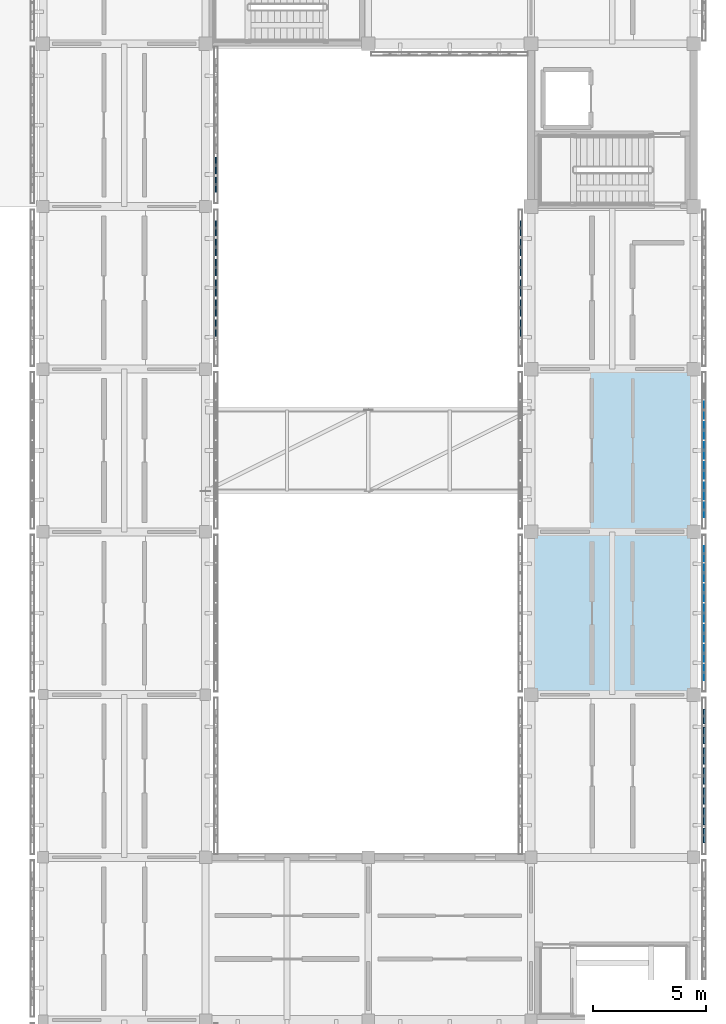
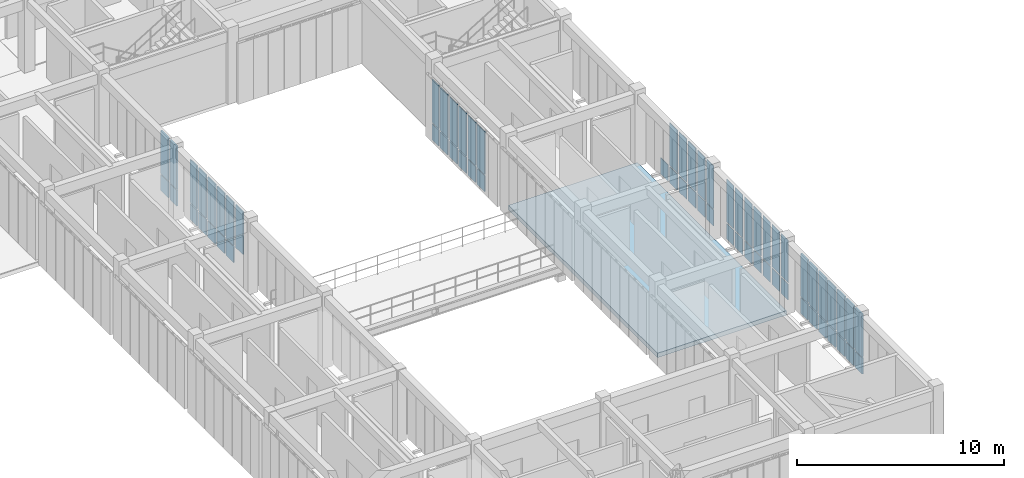
# One storey, part 59 of 91: 66 plates, 1 slab, 6 elements without a shape of their own.
"""IFC4 building model written with IfcOpenShell, lengths in metres."""

import ifcopenshell
import ifcopenshell.guid

model = None  # the IFC model being written
_history = None  # IfcOwnerHistory: only IFC2X3 demands one
_inside = {}  # id of a spatial element -> (the spatial element, [elements in it])
_under = {}  # id of a project, library or spatial element -> (it, [spatial elements below it])
_declared = {}  # id of a project -> (the project, [libraries it declares])
_typed = {}  # id of a type object -> (the type object, [elements of that type])
_made_of = {}  # id of a material, layer set ... -> (it, [elements and type objects made of it])


def new_model(schema):
    """Start an empty IFC model of exactly this schema.

    Asked for "IFC4X3", IfcOpenShell would pick the latest addendum, in which some entities
    have other attributes; the version numbers below select the first issue.
    IFC2X3 requires an IfcOwnerHistory on every rooted entity: one is made here for all.
    """
    global model, _history
    if schema == "IFC4X3":
        model = ifcopenshell.file(schema_version=(4, 3, 0, 0))
    else:
        model = ifcopenshell.file(schema=schema)
    _inside.clear()
    _under.clear()
    _declared.clear()
    _typed.clear()
    _made_of.clear()
    _history = None
    if model.schema == "IFC2X3":
        org = make("IfcOrganization", Name="unknown")
        user = make(
            "IfcPersonAndOrganization",
            ThePerson=make("IfcPerson", FamilyName="unknown"),
            TheOrganization=org,
        )
        app = make(
            "IfcApplication",
            ApplicationDeveloper=org,
            Version="unknown",
            ApplicationFullName="unknown",
            ApplicationIdentifier="unknown",
        )
        _history = make(
            "IfcOwnerHistory",
            OwningUser=user,
            OwningApplication=app,
            ChangeAction="ADDED",
            CreationDate=0,
        )
    return model


def make(cls, **values):
    """One entity of the class cls with the attributes given. An attribute that is None is left unset."""
    return model.create_entity(
        cls, **{name: value for name, value in values.items() if value is not None}
    )


def rooted(cls, **values):
    """An entity with a GlobalId (a new one), such as an element, a storey or a relation."""
    return make(cls, GlobalId=ifcopenshell.guid.new(), OwnerHistory=_history, **values)


def si_unit(unit_type, name, prefix=None):
    """IfcSIUnit, for example si_unit("LENGTHUNIT", "METRE", prefix="MILLI")."""
    return make("IfcSIUnit", UnitType=unit_type, Prefix=prefix, Name=name)


def assignment(units):
    """IfcUnitAssignment: the units of a project."""
    return None if units is None else make("IfcUnitAssignment", Units=units)


def point(xyz):
    """IfcCartesianPoint."""
    return None if xyz is None else make("IfcCartesianPoint", Coordinates=xyz)


def direction(xyz):
    """IfcDirection."""
    return None if xyz is None else make("IfcDirection", DirectionRatios=xyz)


def frame(location, z_axis=None, x_axis=None):
    """IfcAxis2Placement3D, a coordinate frame: its origin and axes. An axis left out is left unset."""
    return make(
        "IfcAxis2Placement3D",
        Location=point(location),
        Axis=direction(z_axis),
        RefDirection=direction(x_axis),
    )


def frame_2d(location, x_axis=None):
    """IfcAxis2Placement2D, a coordinate frame in the plane: its origin and x axis."""
    return make(
        "IfcAxis2Placement2D", Location=point(location), RefDirection=direction(x_axis)
    )


def origin():
    """The frame at (0, 0, 0) with its axes left unset."""
    return frame((0.0, 0.0, 0.0))


def origin_2d():
    """The frame at (0, 0) in the plane with its x axis left unset."""
    return frame_2d((0.0, 0.0))


def place(relative_to, where):
    """IfcLocalPlacement: puts the frame where relative to a parent placement (None: the world)."""
    return make(
        "IfcLocalPlacement", PlacementRelTo=relative_to, RelativePlacement=where
    )


def context(
    kind, dimensions, precision=None, world=None, true_north=None, identifier=None
):
    """IfcGeometricRepresentationContext, for example the 3D "Model" context."""
    return make(
        "IfcGeometricRepresentationContext",
        ContextIdentifier=identifier,
        ContextType=kind,
        CoordinateSpaceDimension=dimensions,
        Precision=precision,
        WorldCoordinateSystem=world,
        TrueNorth=true_north,
    )


def subcontext(parent, identifier, kind, view, scale=None):
    """IfcGeometricRepresentationSubContext, for example "Body" below "Model"."""
    return make(
        "IfcGeometricRepresentationSubContext",
        ContextIdentifier=identifier,
        ContextType=kind,
        ParentContext=parent,
        TargetScale=scale,
        TargetView=view,
    )


def project(units=None, contexts=None):
    """IfcProject with its units and contexts."""
    return rooted(
        "IfcProject",
        Name="project",
        RepresentationContexts=contexts,
        UnitsInContext=assignment(units),
    )


def spatial(cls, under=None, at=None, **own):
    """A site, building, storey or space (cls), placed at a placement, below another one or the project."""
    s = rooted(cls, ObjectPlacement=at, **own)
    if under is not None:
        _under.setdefault(under.id(), (under, []))[1].append(s)
    return s


def polyline(points):
    """IfcPolyline through the points."""
    return make("IfcPolyline", Points=[point(p) for p in points])


def profile(cls, at=None, kind="AREA", **sizes):
    """A parametric profile (cls). Its sizes go by their IFC names, for example OverallWidth=200.0."""
    return make(cls, ProfileType=kind, Position=at, **sizes)


def rectangle(**sizes):
    """IfcRectangleProfileDef."""
    return profile("IfcRectangleProfileDef", **sizes)


def outline(outer, holes=None, kind="AREA"):
    """IfcArbitraryClosedProfileDef: a profile drawn as a closed curve; with holes, ...WithVoids."""
    if holes is None:
        return make("IfcArbitraryClosedProfileDef", ProfileType=kind, OuterCurve=outer)
    return make(
        "IfcArbitraryProfileDefWithVoids",
        ProfileType=kind,
        OuterCurve=outer,
        InnerCurves=holes,
    )


def extrude(swept, where, along, depth):
    """IfcExtrudedAreaSolid: the profile swept, set in the frame where, extruded along a direction by depth."""
    return make(
        "IfcExtrudedAreaSolid",
        SweptArea=swept,
        Position=where,
        ExtrudedDirection=direction(along),
        Depth=depth,
    )


def shape(context_of_items, identifier, shape_type, items):
    """IfcShapeRepresentation: the items that make up one representation, for example the "Body"."""
    return make(
        "IfcShapeRepresentation",
        ContextOfItems=context_of_items,
        RepresentationIdentifier=identifier,
        RepresentationType=shape_type,
        Items=items,
    )


def material(Name=None, Category=None):
    """IfcMaterial."""
    return make("IfcMaterial", Name=Name, Category=Category)


def layer(
    of_material, thickness, ventilated=None, Name=None, Category=None, Priority=None
):
    """IfcMaterialLayer: one layer of a wall or slab, of a material (None: an air gap)."""
    return make(
        "IfcMaterialLayer",
        Material=of_material,
        LayerThickness=thickness,
        IsVentilated=ventilated,
        Name=Name,
        Category=Category,
        Priority=Priority,
    )


def layer_set(layers, Name=None):
    """IfcMaterialLayerSet."""
    return make("IfcMaterialLayerSet", MaterialLayers=layers, LayerSetName=Name)


def made_of(thing, what):
    """Note that an element or type object is made of a material, layer set ...; save() writes the relation."""
    if what is not None:
        _made_of.setdefault(what.id(), (what, []))[1].append(thing)
    return thing


def type_object(cls, material=None, **own):
    """A type object (cls), such as IfcWallType, which elements share."""
    return made_of(rooted(cls, **own), material)


def element(
    cls,
    number,
    at=None,
    inside=None,
    cuts=None,
    type_object=None,
    material=None,
    context=None,
    identifier="Body",
    shape_type=None,
    held_by="IfcProductDefinitionShape",
    body=None,
    shapes=None,
    **own,
):
    """One element of the class cls, such as IfcWall. Its Tag is "e" and its number.

    at: its placement. inside: the storey or other place that contains it. cuts: it is an
    opening in that element (IfcRelVoidsElement). A single representation is given by context,
    identifier, shape_type and body (its items); several are given by shapes. held_by: the class
    of the entity that holds the representations. save() writes the other relations.
    """
    e = rooted(cls, Tag="e%d" % number, ObjectPlacement=at, **own)
    if body is not None:
        shapes = [shape(context, identifier, shape_type, body)]
    if shapes is not None:
        e.Representation = make(held_by, Representations=shapes)
    if inside is not None:
        _inside.setdefault(inside.id(), (inside, []))[1].append(e)
    if cuts is not None:
        rooted(
            "IfcRelVoidsElement", RelatingBuildingElement=cuts, RelatedOpeningElement=e
        )
    if type_object is not None:
        _typed.setdefault(type_object.id(), (type_object, []))[1].append(e)
    return made_of(e, material)


def aggregate(whole, parts):
    """IfcRelAggregates: a whole, such as a stair, and the parts it consists of."""
    return rooted("IfcRelAggregates", RelatingObject=whole, RelatedObjects=parts)


def save(model, path):
    """Write the relations noted so far, then the file.

    IfcRelAggregates (storeys below a building ...), IfcRelContainedInSpatialStructure (elements
    in a storey), IfcRelDefinesByType, IfcRelAssociatesMaterial and IfcRelDeclares: one each for
    every whole, place, type object, material and project.
    """
    for whole, parts in _under.values():
        aggregate(whole, parts)
    for where, things in _inside.values():
        rooted(
            "IfcRelContainedInSpatialStructure",
            RelatedElements=things,
            RelatingStructure=where,
        )
    for kind, things in _typed.values():
        rooted("IfcRelDefinesByType", RelatedObjects=things, RelatingType=kind)
    for what, things in _made_of.values():
        rooted("IfcRelAssociatesMaterial", RelatedObjects=things, RelatingMaterial=what)
    for by, libraries in _declared.values():
        rooted("IfcRelDeclares", RelatingContext=by, RelatedDefinitions=libraries)
    model.write(path)


model = new_model("IFC4")

# Units and contexts
model_context = context("Model", 3, precision=1e-05, world=origin(), true_north=direction((0.0, 1.0)))
body_context = subcontext(model_context, "Body", "Model", "MODEL_VIEW")
ifc_project = project(units=[si_unit("LENGTHUNIT", "METRE"), si_unit("AREAUNIT", "SQUARE_METRE"), si_unit("VOLUMEUNIT", "CUBIC_METRE"), si_unit("PLANEANGLEUNIT", "RADIAN"), si_unit("MASSUNIT", "GRAM", prefix="KILO")], contexts=[model_context])

# Site, building, storey
site_placement = place(None, origin())
site = spatial("IfcSite", under=ifc_project, at=site_placement, CompositionType="ELEMENT")
building_placement = place(site_placement, origin())
building = spatial("IfcBuilding", under=site, at=building_placement, Name="Aldebral Square Health Centre", CompositionType="ELEMENT")
storey_placement = place(building_placement, frame((0.0, 0.0, 9.0)))
storey = spatial("IfcBuildingStorey", under=building, at=storey_placement, Name="L02", CompositionType="ELEMENT", Elevation=9.0)

# Curtain wall, plates
ifc_material_1 = material(Name="Aluminium and low-E solar glass", Category="aluminium")
curtain_wall_type = type_object("IfcCurtainWallType", Name="CW-FIN-SYS", PredefinedType="USERDEFINED", material=ifc_material_1)
curtain_wall_1_placement = place(storey_placement, origin())
curtain_wall_1 = element("IfcCurtainWall", 1, at=curtain_wall_1_placement, inside=storey, type_object=curtain_wall_type, Name="L02 V5 finned curtain wall L02-V5-22-10-E", ObjectType="SOLAR_CURTAIN_WALL", PredefinedType="USERDEFINED")
ifc_material_2 = material(Name="Solar-control low-E double glass", Category="glass")
ifc_layer_1 = layer(ifc_material_2, 0.02001953125, Name="Solar-control low-E double glass", Category="glass")
ifc_layer_set_1 = layer_set([ifc_layer_1], Name="Solar-control low-E double glass")
plate_type_1 = type_object("IfcPlateType", Name="CWP-GLZ-1", PredefinedType="CURTAIN_PANEL", material=ifc_layer_set_1)
plate_1_placement = place(storey_placement, frame((166.06005859375, 72.9658203125, 0.074951171875), z_axis=(0.0, 0.0, 1.0), x_axis=(0.0, 1.0, 0.0)))
plate_1 = element("IfcPlate", 2, at=plate_1_placement, type_object=plate_type_1, Name="CW1 panel 1.1", PredefinedType="CURTAIN_PANEL", context=body_context, shape_type="SweptSolid", body=[
    extrude(rectangle(XDim=0.6513671875, YDim=0.02001953125, at=origin_2d()), origin(), (0.0, 0.0, 1.0), 0.9375),
])
plate_2_placement = place(storey_placement, frame((166.06005859375, 72.9658203125, 1.08740234375), z_axis=(0.0, 0.0, 1.0), x_axis=(0.0, 1.0, 0.0)))
plate_2 = element("IfcPlate", 3, at=plate_2_placement, type_object=plate_type_1, Name="CW1 panel 1.2", PredefinedType="CURTAIN_PANEL", context=body_context, shape_type="SweptSolid", body=[
    extrude(rectangle(XDim=0.6513671875, YDim=0.02001953125, at=origin_2d()), origin(), (0.0, 0.0, 1.0), 2.527587890625),
])
plate_3_placement = place(storey_placement, frame((166.06005859375, 73.817138671875, 0.074951171875), z_axis=(0.0, 0.0, 1.0), x_axis=(0.0, 1.0, 0.0)))
plate_3 = element("IfcPlate", 4, at=plate_3_placement, type_object=plate_type_1, Name="CW1 panel 2.1", PredefinedType="CURTAIN_PANEL", context=body_context, shape_type="SweptSolid", body=[
    extrude(rectangle(XDim=0.7314453125, YDim=0.02001953125, at=origin_2d()), origin(), (0.0, 0.0, 1.0), 0.9375),
])
plate_4_placement = place(storey_placement, frame((166.06005859375, 73.817138671875, 1.08740234375), z_axis=(0.0, 0.0, 1.0), x_axis=(0.0, 1.0, 0.0)))
plate_4 = element("IfcPlate", 5, at=plate_4_placement, type_object=plate_type_1, Name="CW1 panel 2.2", PredefinedType="CURTAIN_PANEL", context=body_context, shape_type="SweptSolid", body=[
    extrude(rectangle(XDim=0.7314453125, YDim=0.02001953125, at=origin_2d()), origin(), (0.0, 0.0, 1.0), 2.527587890625),
])
plate_5_placement = place(storey_placement, frame((166.06005859375, 74.70849609375, 0.074951171875), z_axis=(0.0, 0.0, 1.0), x_axis=(0.0, 1.0, 0.0)))
plate_5 = element("IfcPlate", 6, at=plate_5_placement, type_object=plate_type_1, Name="CW1 panel 3.1", PredefinedType="CURTAIN_PANEL", context=body_context, shape_type="SweptSolid", body=[
    extrude(rectangle(XDim=0.7314453125, YDim=0.02001953125, at=origin_2d()), origin(), (0.0, 0.0, 1.0), 0.9375),
])
plate_6_placement = place(storey_placement, frame((166.06005859375, 74.70849609375, 1.08740234375), z_axis=(0.0, 0.0, 1.0), x_axis=(0.0, 1.0, 0.0)))
plate_6 = element("IfcPlate", 7, at=plate_6_placement, type_object=plate_type_1, Name="CW1 panel 3.2", PredefinedType="CURTAIN_PANEL", context=body_context, shape_type="SweptSolid", body=[
    extrude(rectangle(XDim=0.7314453125, YDim=0.02001953125, at=origin_2d()), origin(), (0.0, 0.0, 1.0), 2.527587890625),
])
plate_7_placement = place(storey_placement, frame((166.06005859375, 75.60009765625, 0.074951171875), z_axis=(0.0, 0.0, 1.0), x_axis=(0.0, 1.0, 0.0)))
plate_7 = element("IfcPlate", 8, at=plate_7_placement, type_object=plate_type_1, Name="CW1 panel 4.1", PredefinedType="CURTAIN_PANEL", context=body_context, shape_type="SweptSolid", body=[
    extrude(rectangle(XDim=0.7314453125, YDim=0.02001953125, at=origin_2d()), origin(), (0.0, 0.0, 1.0), 0.9375),
])
plate_8_placement = place(storey_placement, frame((166.06005859375, 75.60009765625, 1.08740234375), z_axis=(0.0, 0.0, 1.0), x_axis=(0.0, 1.0, 0.0)))
plate_8 = element("IfcPlate", 9, at=plate_8_placement, type_object=plate_type_1, Name="CW1 panel 4.2", PredefinedType="CURTAIN_PANEL", context=body_context, shape_type="SweptSolid", body=[
    extrude(rectangle(XDim=0.7314453125, YDim=0.02001953125, at=origin_2d()), origin(), (0.0, 0.0, 1.0), 2.527587890625),
])
plate_9_placement = place(storey_placement, frame((166.06005859375, 76.491455078125, 0.074951171875), z_axis=(0.0, 0.0, 1.0), x_axis=(0.0, 1.0, 0.0)))
plate_9 = element("IfcPlate", 10, at=plate_9_placement, type_object=plate_type_1, Name="CW1 panel 5.1", PredefinedType="CURTAIN_PANEL", context=body_context, shape_type="SweptSolid", body=[
    extrude(rectangle(XDim=0.7314453125, YDim=0.02001953125, at=origin_2d()), origin(), (0.0, 0.0, 1.0), 0.9375),
])
plate_10_placement = place(storey_placement, frame((166.06005859375, 76.491455078125, 1.08740234375), z_axis=(0.0, 0.0, 1.0), x_axis=(0.0, 1.0, 0.0)))
plate_10 = element("IfcPlate", 11, at=plate_10_placement, type_object=plate_type_1, Name="CW1 panel 5.2", PredefinedType="CURTAIN_PANEL", context=body_context, shape_type="SweptSolid", body=[
    extrude(rectangle(XDim=0.7314453125, YDim=0.02001953125, at=origin_2d()), origin(), (0.0, 0.0, 1.0), 2.527587890625),
])
plate_11_placement = place(storey_placement, frame((166.06005859375, 77.3828125, 0.074951171875), z_axis=(0.0, 0.0, 1.0), x_axis=(0.0, 1.0, 0.0)))
plate_11 = element("IfcPlate", 12, at=plate_11_placement, type_object=plate_type_1, Name="CW1 panel 6.1", PredefinedType="CURTAIN_PANEL", context=body_context, shape_type="SweptSolid", body=[
    extrude(rectangle(XDim=0.7314453125, YDim=0.02001953125, at=origin_2d()), origin(), (0.0, 0.0, 1.0), 0.9375),
])
plate_12_placement = place(storey_placement, frame((166.06005859375, 77.3828125, 1.08740234375), z_axis=(0.0, 0.0, 1.0), x_axis=(0.0, 1.0, 0.0)))
plate_12 = element("IfcPlate", 13, at=plate_12_placement, type_object=plate_type_1, Name="CW1 panel 6.2", PredefinedType="CURTAIN_PANEL", context=body_context, shape_type="SweptSolid", body=[
    extrude(rectangle(XDim=0.7314453125, YDim=0.02001953125, at=origin_2d()), origin(), (0.0, 0.0, 1.0), 2.527587890625),
])
plate_13_placement = place(storey_placement, frame((166.06005859375, 78.234375, 0.074951171875), z_axis=(0.0, 0.0, 1.0), x_axis=(0.0, 1.0, 0.0)))
plate_13 = element("IfcPlate", 14, at=plate_13_placement, type_object=plate_type_1, Name="CW1 panel 7.1", PredefinedType="CURTAIN_PANEL", context=body_context, shape_type="SweptSolid", body=[
    extrude(rectangle(XDim=0.6513671875, YDim=0.02001953125, at=origin_2d()), origin(), (0.0, 0.0, 1.0), 0.9375),
])
plate_14_placement = place(storey_placement, frame((166.06005859375, 78.234375, 1.08740234375), z_axis=(0.0, 0.0, 1.0), x_axis=(0.0, 1.0, 0.0)))
plate_14 = element("IfcPlate", 15, at=plate_14_placement, type_object=plate_type_1, Name="CW1 panel 7.2", PredefinedType="CURTAIN_PANEL", context=body_context, shape_type="SweptSolid", body=[
    extrude(rectangle(XDim=0.6513671875, YDim=0.02001953125, at=origin_2d()), origin(), (0.0, 0.0, 1.0), 2.527587890625),
])
aggregate(curtain_wall_1, [plate_1, plate_2, plate_3, plate_4, plate_5, plate_6, plate_7, plate_8, plate_9, plate_10, plate_11, plate_12, plate_13, plate_14])

curtain_wall_2_placement = place(storey_placement, origin())
curtain_wall_2 = element("IfcCurtainWall", 16, at=curtain_wall_2_placement, inside=storey, type_object=curtain_wall_type, Name="L02 V5 finned curtain wall L02-V5-22-11-E", ObjectType="SOLAR_CURTAIN_WALL", PredefinedType="USERDEFINED")
ifc_layer_2 = layer(ifc_material_2, 0.0400390625, Name="Solar-control low-E double glass", Category="glass")
ifc_layer_set_2 = layer_set([ifc_layer_2], Name="Solar-control low-E double glass")
plate_type_2 = type_object("IfcPlateType", Name="CWP-GLZ-3", PredefinedType="CURTAIN_PANEL", material=ifc_layer_set_2)
plate_15_placement = place(storey_placement, frame((166.06005859375, 80.165771484375, 0.074951171875), z_axis=(0.0, 0.0, 1.0), x_axis=(0.0, 1.0, 0.0)))
plate_15 = element("IfcPlate", 17, at=plate_15_placement, type_object=plate_type_2, Name="CW1 panel 1.1", PredefinedType="CURTAIN_PANEL", context=body_context, shape_type="SweptSolid", body=[
    extrude(rectangle(XDim=0.6513671875, YDim=0.0400390625, at=origin_2d()), origin(), (0.0, 0.0, 1.0), 0.9375),
])
plate_16_placement = place(storey_placement, frame((166.06005859375, 80.165771484375, 1.08740234375), z_axis=(0.0, 0.0, 1.0), x_axis=(0.0, 1.0, 0.0)))
plate_16 = element("IfcPlate", 18, at=plate_16_placement, type_object=plate_type_2, Name="CW1 panel 1.2", PredefinedType="CURTAIN_PANEL", context=body_context, shape_type="SweptSolid", body=[
    extrude(rectangle(XDim=0.6513671875, YDim=0.0400390625, at=origin_2d()), origin(), (0.0, 0.0, 1.0), 2.527587890625),
])
plate_17_placement = place(storey_placement, frame((166.06005859375, 81.01708984375, 0.074951171875), z_axis=(0.0, 0.0, 1.0), x_axis=(0.0, 1.0, 0.0)))
plate_17 = element("IfcPlate", 19, at=plate_17_placement, type_object=plate_type_2, Name="CW1 panel 2.1", PredefinedType="CURTAIN_PANEL", context=body_context, shape_type="SweptSolid", body=[
    extrude(rectangle(XDim=0.7314453125, YDim=0.0400390625, at=origin_2d()), origin(), (0.0, 0.0, 1.0), 0.9375),
])
plate_18_placement = place(storey_placement, frame((166.06005859375, 81.01708984375, 1.08740234375), z_axis=(0.0, 0.0, 1.0), x_axis=(0.0, 1.0, 0.0)))
plate_18 = element("IfcPlate", 20, at=plate_18_placement, type_object=plate_type_2, Name="CW1 panel 2.2", PredefinedType="CURTAIN_PANEL", context=body_context, shape_type="SweptSolid", body=[
    extrude(rectangle(XDim=0.7314453125, YDim=0.0400390625, at=origin_2d()), origin(), (0.0, 0.0, 1.0), 2.527587890625),
])
plate_19_placement = place(storey_placement, frame((166.06005859375, 81.90869140625, 0.074951171875), z_axis=(0.0, 0.0, 1.0), x_axis=(0.0, 1.0, 0.0)))
plate_19 = element("IfcPlate", 21, at=plate_19_placement, type_object=plate_type_2, Name="CW1 panel 3.1", PredefinedType="CURTAIN_PANEL", context=body_context, shape_type="SweptSolid", body=[
    extrude(rectangle(XDim=0.7314453125, YDim=0.0400390625, at=origin_2d()), origin(), (0.0, 0.0, 1.0), 0.9375),
])
plate_20_placement = place(storey_placement, frame((166.06005859375, 81.90869140625, 1.08740234375), z_axis=(0.0, 0.0, 1.0), x_axis=(0.0, 1.0, 0.0)))
plate_20 = element("IfcPlate", 22, at=plate_20_placement, type_object=plate_type_2, Name="CW1 panel 3.2", PredefinedType="CURTAIN_PANEL", context=body_context, shape_type="SweptSolid", body=[
    extrude(rectangle(XDim=0.7314453125, YDim=0.0400390625, at=origin_2d()), origin(), (0.0, 0.0, 1.0), 2.527587890625),
])
plate_21_placement = place(storey_placement, frame((166.06005859375, 82.800048828125, 0.074951171875), z_axis=(0.0, 0.0, 1.0), x_axis=(0.0, 1.0, 0.0)))
plate_21 = element("IfcPlate", 23, at=plate_21_placement, type_object=plate_type_2, Name="CW1 panel 4.1", PredefinedType="CURTAIN_PANEL", context=body_context, shape_type="SweptSolid", body=[
    extrude(rectangle(XDim=0.7314453125, YDim=0.0400390625, at=origin_2d()), origin(), (0.0, 0.0, 1.0), 0.9375),
])
plate_22_placement = place(storey_placement, frame((166.06005859375, 82.800048828125, 1.08740234375), z_axis=(0.0, 0.0, 1.0), x_axis=(0.0, 1.0, 0.0)))
plate_22 = element("IfcPlate", 24, at=plate_22_placement, type_object=plate_type_2, Name="CW1 panel 4.2", PredefinedType="CURTAIN_PANEL", context=body_context, shape_type="SweptSolid", body=[
    extrude(rectangle(XDim=0.7314453125, YDim=0.0400390625, at=origin_2d()), origin(), (0.0, 0.0, 1.0), 2.527587890625),
])
plate_23_placement = place(storey_placement, frame((166.06005859375, 83.69140625, 0.074951171875), z_axis=(0.0, 0.0, 1.0), x_axis=(0.0, 1.0, 0.0)))
plate_23 = element("IfcPlate", 25, at=plate_23_placement, type_object=plate_type_2, Name="CW1 panel 5.1", PredefinedType="CURTAIN_PANEL", context=body_context, shape_type="SweptSolid", body=[
    extrude(rectangle(XDim=0.7314453125, YDim=0.0400390625, at=origin_2d()), origin(), (0.0, 0.0, 1.0), 0.9375),
])
plate_24_placement = place(storey_placement, frame((166.06005859375, 83.69140625, 1.08740234375), z_axis=(0.0, 0.0, 1.0), x_axis=(0.0, 1.0, 0.0)))
plate_24 = element("IfcPlate", 26, at=plate_24_placement, type_object=plate_type_2, Name="CW1 panel 5.2", PredefinedType="CURTAIN_PANEL", context=body_context, shape_type="SweptSolid", body=[
    extrude(rectangle(XDim=0.7314453125, YDim=0.0400390625, at=origin_2d()), origin(), (0.0, 0.0, 1.0), 2.527587890625),
])
plate_25_placement = place(storey_placement, frame((166.06005859375, 84.582763671875, 0.074951171875), z_axis=(0.0, 0.0, 1.0), x_axis=(0.0, 1.0, 0.0)))
plate_25 = element("IfcPlate", 27, at=plate_25_placement, type_object=plate_type_2, Name="CW1 panel 6.1", PredefinedType="CURTAIN_PANEL", context=body_context, shape_type="SweptSolid", body=[
    extrude(rectangle(XDim=0.7314453125, YDim=0.0400390625, at=origin_2d()), origin(), (0.0, 0.0, 1.0), 0.9375),
])
aggregate(curtain_wall_2, [plate_15, plate_16, plate_17, plate_18, plate_19, plate_20, plate_21, plate_22, plate_23, plate_24, plate_25])

curtain_wall_3_placement = place(storey_placement, origin())
curtain_wall_3 = element("IfcCurtainWall", 28, at=curtain_wall_3_placement, inside=storey, type_object=curtain_wall_type, Name="L02 V5 finned curtain wall L02-V5-22-12-W", ObjectType="SOLAR_CURTAIN_WALL", PredefinedType="USERDEFINED")
ifc_layer_3 = layer(ifc_material_2, 0.050048828125, Name="Solar-control low-E double glass", Category="glass")
ifc_layer_set_3 = layer_set([ifc_layer_3], Name="Solar-control low-E double glass")
plate_type_3 = type_object("IfcPlateType", Name="CWP-GLZ-4", PredefinedType="CURTAIN_PANEL", material=ifc_layer_set_3)
plate_26_placement = place(storey_placement, frame((157.93994140625, 92.63427734375, 0.074951171875), z_axis=(0.0, 0.0, 1.0), x_axis=(0.0, -1.0, 0.0)))
plate_26 = element("IfcPlate", 29, at=plate_26_placement, type_object=plate_type_3, Name="CW1 panel 1.1", PredefinedType="CURTAIN_PANEL", context=body_context, shape_type="SweptSolid", body=[
    extrude(rectangle(XDim=0.6513671875, YDim=0.050048828125, at=origin_2d()), origin(), (0.0, 0.0, 1.0), 0.9375),
])
plate_27_placement = place(storey_placement, frame((157.93994140625, 92.63427734375, 1.08740234375), z_axis=(0.0, 0.0, 1.0), x_axis=(0.0, -1.0, 0.0)))
plate_27 = element("IfcPlate", 30, at=plate_27_placement, type_object=plate_type_3, Name="CW1 panel 1.2", PredefinedType="CURTAIN_PANEL", context=body_context, shape_type="SweptSolid", body=[
    extrude(rectangle(XDim=0.6513671875, YDim=0.050048828125, at=origin_2d()), origin(), (0.0, 0.0, 1.0), 2.527587890625),
])
plate_28_placement = place(storey_placement, frame((157.93994140625, 91.782958984375, 0.074951171875), z_axis=(0.0, 0.0, 1.0), x_axis=(0.0, -1.0, 0.0)))
plate_28 = element("IfcPlate", 31, at=plate_28_placement, type_object=plate_type_3, Name="CW1 panel 2.1", PredefinedType="CURTAIN_PANEL", context=body_context, shape_type="SweptSolid", body=[
    extrude(rectangle(XDim=0.7314453125, YDim=0.050048828125, at=origin_2d()), origin(), (0.0, 0.0, 1.0), 0.9375),
])
plate_29_placement = place(storey_placement, frame((157.93994140625, 91.782958984375, 1.08740234375), z_axis=(0.0, 0.0, 1.0), x_axis=(0.0, -1.0, 0.0)))
plate_29 = element("IfcPlate", 32, at=plate_29_placement, type_object=plate_type_3, Name="CW1 panel 2.2", PredefinedType="CURTAIN_PANEL", context=body_context, shape_type="SweptSolid", body=[
    extrude(rectangle(XDim=0.7314453125, YDim=0.050048828125, at=origin_2d()), origin(), (0.0, 0.0, 1.0), 2.527587890625),
])
plate_30_placement = place(storey_placement, frame((157.93994140625, 90.891357421875, 0.074951171875), z_axis=(0.0, 0.0, 1.0), x_axis=(0.0, -1.0, 0.0)))
plate_30 = element("IfcPlate", 33, at=plate_30_placement, type_object=plate_type_3, Name="CW1 panel 3.1", PredefinedType="CURTAIN_PANEL", context=body_context, shape_type="SweptSolid", body=[
    extrude(rectangle(XDim=0.7314453125, YDim=0.050048828125, at=origin_2d()), origin(), (0.0, 0.0, 1.0), 0.9375),
])
plate_31_placement = place(storey_placement, frame((157.93994140625, 90.891357421875, 1.08740234375), z_axis=(0.0, 0.0, 1.0), x_axis=(0.0, -1.0, 0.0)))
plate_31 = element("IfcPlate", 34, at=plate_31_placement, type_object=plate_type_3, Name="CW1 panel 3.2", PredefinedType="CURTAIN_PANEL", context=body_context, shape_type="SweptSolid", body=[
    extrude(rectangle(XDim=0.7314453125, YDim=0.050048828125, at=origin_2d()), origin(), (0.0, 0.0, 1.0), 2.527587890625),
])
plate_32_placement = place(storey_placement, frame((157.93994140625, 90.0, 0.074951171875), z_axis=(0.0, 0.0, 1.0), x_axis=(0.0, -1.0, 0.0)))
plate_32 = element("IfcPlate", 35, at=plate_32_placement, type_object=plate_type_3, Name="CW1 panel 4.1", PredefinedType="CURTAIN_PANEL", context=body_context, shape_type="SweptSolid", body=[
    extrude(rectangle(XDim=0.7314453125, YDim=0.050048828125, at=origin_2d()), origin(), (0.0, 0.0, 1.0), 0.9375),
])
plate_33_placement = place(storey_placement, frame((157.93994140625, 90.0, 1.08740234375), z_axis=(0.0, 0.0, 1.0), x_axis=(0.0, -1.0, 0.0)))
plate_33 = element("IfcPlate", 36, at=plate_33_placement, type_object=plate_type_3, Name="CW1 panel 4.2", PredefinedType="CURTAIN_PANEL", context=body_context, shape_type="SweptSolid", body=[
    extrude(rectangle(XDim=0.7314453125, YDim=0.050048828125, at=origin_2d()), origin(), (0.0, 0.0, 1.0), 2.527587890625),
])
plate_34_placement = place(storey_placement, frame((157.93994140625, 89.108642578125, 0.074951171875), z_axis=(0.0, 0.0, 1.0), x_axis=(0.0, -1.0, 0.0)))
plate_34 = element("IfcPlate", 37, at=plate_34_placement, type_object=plate_type_3, Name="CW1 panel 5.1", PredefinedType="CURTAIN_PANEL", context=body_context, shape_type="SweptSolid", body=[
    extrude(rectangle(XDim=0.7314453125, YDim=0.050048828125, at=origin_2d()), origin(), (0.0, 0.0, 1.0), 0.9375),
])
plate_35_placement = place(storey_placement, frame((157.93994140625, 89.108642578125, 1.08740234375), z_axis=(0.0, 0.0, 1.0), x_axis=(0.0, -1.0, 0.0)))
plate_35 = element("IfcPlate", 38, at=plate_35_placement, type_object=plate_type_3, Name="CW1 panel 5.2", PredefinedType="CURTAIN_PANEL", context=body_context, shape_type="SweptSolid", body=[
    extrude(rectangle(XDim=0.7314453125, YDim=0.050048828125, at=origin_2d()), origin(), (0.0, 0.0, 1.0), 2.527587890625),
])
plate_36_placement = place(storey_placement, frame((157.93994140625, 88.217041015625, 0.074951171875), z_axis=(0.0, 0.0, 1.0), x_axis=(0.0, -1.0, 0.0)))
plate_36 = element("IfcPlate", 39, at=plate_36_placement, type_object=plate_type_3, Name="CW1 panel 6.1", PredefinedType="CURTAIN_PANEL", context=body_context, shape_type="SweptSolid", body=[
    extrude(rectangle(XDim=0.7314453125, YDim=0.050048828125, at=origin_2d()), origin(), (0.0, 0.0, 1.0), 0.9375),
])
plate_37_placement = place(storey_placement, frame((157.93994140625, 88.217041015625, 1.08740234375), z_axis=(0.0, 0.0, 1.0), x_axis=(0.0, -1.0, 0.0)))
plate_37 = element("IfcPlate", 40, at=plate_37_placement, type_object=plate_type_3, Name="CW1 panel 6.2", PredefinedType="CURTAIN_PANEL", context=body_context, shape_type="SweptSolid", body=[
    extrude(rectangle(XDim=0.7314453125, YDim=0.050048828125, at=origin_2d()), origin(), (0.0, 0.0, 1.0), 2.527587890625),
])
aggregate(curtain_wall_3, [plate_26, plate_27, plate_28, plate_29, plate_30, plate_31, plate_32, plate_33, plate_34, plate_35, plate_36, plate_37])

curtain_wall_4_placement = place(storey_placement, origin())
curtain_wall_4 = element("IfcCurtainWall", 41, at=curtain_wall_4_placement, inside=storey, type_object=curtain_wall_type, Name="L02 V5 finned curtain wall L02-V5-19-12-E", ObjectType="SOLAR_CURTAIN_WALL", PredefinedType="USERDEFINED")
ifc_layer_4 = layer(ifc_material_2, 0.06005859375, Name="Solar-control low-E double glass", Category="glass")
ifc_layer_set_4 = layer_set([ifc_layer_4], Name="Solar-control low-E double glass")
plate_type_4 = type_object("IfcPlateType", Name="CWP-GLZ-5", PredefinedType="CURTAIN_PANEL", material=ifc_layer_set_4)
plate_38_placement = place(storey_placement, frame((144.4599609375, 88.217041015625, 1.08740234375), z_axis=(0.0, 0.0, 1.0), x_axis=(0.0, 1.0, 0.0)))
plate_38 = element("IfcPlate", 42, at=plate_38_placement, type_object=plate_type_4, Name="CW1 panel 2.2", PredefinedType="CURTAIN_PANEL", context=body_context, shape_type="SweptSolid", body=[
    extrude(rectangle(XDim=0.7314453125, YDim=0.06005859375, at=origin_2d()), origin(), (0.0, 0.0, 1.0), 2.527587890625),
])
plate_39_placement = place(storey_placement, frame((144.4599609375, 89.108642578125, 0.074951171875), z_axis=(0.0, 0.0, 1.0), x_axis=(0.0, 1.0, 0.0)))
plate_39 = element("IfcPlate", 43, at=plate_39_placement, type_object=plate_type_4, Name="CW1 panel 3.1", PredefinedType="CURTAIN_PANEL", context=body_context, shape_type="SweptSolid", body=[
    extrude(rectangle(XDim=0.7314453125, YDim=0.06005859375, at=origin_2d()), origin(), (0.0, 0.0, 1.0), 0.9375),
])
plate_40_placement = place(storey_placement, frame((144.4599609375, 89.108642578125, 1.08740234375), z_axis=(0.0, 0.0, 1.0), x_axis=(0.0, 1.0, 0.0)))
plate_40 = element("IfcPlate", 44, at=plate_40_placement, type_object=plate_type_4, Name="CW1 panel 3.2", PredefinedType="CURTAIN_PANEL", context=body_context, shape_type="SweptSolid", body=[
    extrude(rectangle(XDim=0.7314453125, YDim=0.06005859375, at=origin_2d()), origin(), (0.0, 0.0, 1.0), 2.527587890625),
])
plate_41_placement = place(storey_placement, frame((144.4599609375, 90.0, 0.074951171875), z_axis=(0.0, 0.0, 1.0), x_axis=(0.0, 1.0, 0.0)))
plate_41 = element("IfcPlate", 45, at=plate_41_placement, type_object=plate_type_4, Name="CW1 panel 4.1", PredefinedType="CURTAIN_PANEL", context=body_context, shape_type="SweptSolid", body=[
    extrude(rectangle(XDim=0.7314453125, YDim=0.06005859375, at=origin_2d()), origin(), (0.0, 0.0, 1.0), 0.9375),
])
plate_42_placement = place(storey_placement, frame((144.4599609375, 90.0, 1.08740234375), z_axis=(0.0, 0.0, 1.0), x_axis=(0.0, 1.0, 0.0)))
plate_42 = element("IfcPlate", 46, at=plate_42_placement, type_object=plate_type_4, Name="CW1 panel 4.2", PredefinedType="CURTAIN_PANEL", context=body_context, shape_type="SweptSolid", body=[
    extrude(rectangle(XDim=0.7314453125, YDim=0.06005859375, at=origin_2d()), origin(), (0.0, 0.0, 1.0), 2.527587890625),
])
plate_43_placement = place(storey_placement, frame((144.4599609375, 90.891357421875, 0.074951171875), z_axis=(0.0, 0.0, 1.0), x_axis=(0.0, 1.0, 0.0)))
plate_43 = element("IfcPlate", 47, at=plate_43_placement, type_object=plate_type_4, Name="CW1 panel 5.1", PredefinedType="CURTAIN_PANEL", context=body_context, shape_type="SweptSolid", body=[
    extrude(rectangle(XDim=0.7314453125, YDim=0.06005859375, at=origin_2d()), origin(), (0.0, 0.0, 1.0), 0.9375),
])
plate_44_placement = place(storey_placement, frame((144.4599609375, 90.891357421875, 1.08740234375), z_axis=(0.0, 0.0, 1.0), x_axis=(0.0, 1.0, 0.0)))
plate_44 = element("IfcPlate", 48, at=plate_44_placement, type_object=plate_type_4, Name="CW1 panel 5.2", PredefinedType="CURTAIN_PANEL", context=body_context, shape_type="SweptSolid", body=[
    extrude(rectangle(XDim=0.7314453125, YDim=0.06005859375, at=origin_2d()), origin(), (0.0, 0.0, 1.0), 2.527587890625),
])
plate_45_placement = place(storey_placement, frame((144.4599609375, 91.782958984375, 0.074951171875), z_axis=(0.0, 0.0, 1.0), x_axis=(0.0, 1.0, 0.0)))
plate_45 = element("IfcPlate", 49, at=plate_45_placement, type_object=plate_type_4, Name="CW1 panel 6.1", PredefinedType="CURTAIN_PANEL", context=body_context, shape_type="SweptSolid", body=[
    extrude(rectangle(XDim=0.7314453125, YDim=0.06005859375, at=origin_2d()), origin(), (0.0, 0.0, 1.0), 0.9375),
])
plate_46_placement = place(storey_placement, frame((144.4599609375, 91.782958984375, 1.08740234375), z_axis=(0.0, 0.0, 1.0), x_axis=(0.0, 1.0, 0.0)))
plate_46 = element("IfcPlate", 50, at=plate_46_placement, type_object=plate_type_4, Name="CW1 panel 6.2", PredefinedType="CURTAIN_PANEL", context=body_context, shape_type="SweptSolid", body=[
    extrude(rectangle(XDim=0.7314453125, YDim=0.06005859375, at=origin_2d()), origin(), (0.0, 0.0, 1.0), 2.527587890625),
])
plate_47_placement = place(storey_placement, frame((144.4599609375, 92.63427734375, 0.074951171875), z_axis=(0.0, 0.0, 1.0), x_axis=(0.0, 1.0, 0.0)))
plate_47 = element("IfcPlate", 51, at=plate_47_placement, type_object=plate_type_4, Name="CW1 panel 7.1", PredefinedType="CURTAIN_PANEL", context=body_context, shape_type="SweptSolid", body=[
    extrude(rectangle(XDim=0.6513671875, YDim=0.06005859375, at=origin_2d()), origin(), (0.0, 0.0, 1.0), 0.9375),
])
plate_48_placement = place(storey_placement, frame((144.4599609375, 92.63427734375, 1.08740234375), z_axis=(0.0, 0.0, 1.0), x_axis=(0.0, 1.0, 0.0)))
plate_48 = element("IfcPlate", 52, at=plate_48_placement, type_object=plate_type_4, Name="CW1 panel 7.2", PredefinedType="CURTAIN_PANEL", context=body_context, shape_type="SweptSolid", body=[
    extrude(rectangle(XDim=0.6513671875, YDim=0.06005859375, at=origin_2d()), origin(), (0.0, 0.0, 1.0), 2.527587890625),
])
aggregate(curtain_wall_4, [plate_38, plate_39, plate_40, plate_41, plate_42, plate_43, plate_44, plate_45, plate_46, plate_47, plate_48])

curtain_wall_5_placement = place(storey_placement, origin())
curtain_wall_5 = element("IfcCurtainWall", 53, at=curtain_wall_5_placement, inside=storey, type_object=curtain_wall_type, Name="L02 V5 finned curtain wall L02-V5-19-13-E", ObjectType="SOLAR_CURTAIN_WALL", PredefinedType="USERDEFINED")
ifc_layer_5 = layer(ifc_material_2, 0.080078125, Name="Solar-control low-E double glass", Category="glass")
ifc_layer_set_5 = layer_set([ifc_layer_5], Name="Solar-control low-E double glass")
plate_type_5 = type_object("IfcPlateType", Name="CWP-GLZ-7", PredefinedType="CURTAIN_PANEL", material=ifc_layer_set_5)
plate_49_placement = place(storey_placement, frame((144.4599609375, 94.565673828125, 0.074951171875), z_axis=(0.0, 0.0, 1.0), x_axis=(0.0, 1.0, 0.0)))
plate_49 = element("IfcPlate", 54, at=plate_49_placement, type_object=plate_type_5, Name="CW1 panel 1.1", PredefinedType="CURTAIN_PANEL", context=body_context, shape_type="SweptSolid", body=[
    extrude(rectangle(XDim=0.6513671875, YDim=0.080078125, at=origin_2d()), origin(), (0.0, 0.0, 1.0), 0.9375),
])
plate_50_placement = place(storey_placement, frame((144.4599609375, 94.565673828125, 1.08740234375), z_axis=(0.0, 0.0, 1.0), x_axis=(0.0, 1.0, 0.0)))
plate_50 = element("IfcPlate", 55, at=plate_50_placement, type_object=plate_type_5, Name="CW1 panel 1.2", PredefinedType="CURTAIN_PANEL", context=body_context, shape_type="SweptSolid", body=[
    extrude(rectangle(XDim=0.6513671875, YDim=0.080078125, at=origin_2d()), origin(), (0.0, 0.0, 1.0), 2.527587890625),
])
plate_51_placement = place(storey_placement, frame((144.4599609375, 95.417236328125, 0.074951171875), z_axis=(0.0, 0.0, 1.0), x_axis=(0.0, 1.0, 0.0)))
plate_51 = element("IfcPlate", 56, at=plate_51_placement, type_object=plate_type_5, Name="CW1 panel 2.1", PredefinedType="CURTAIN_PANEL", context=body_context, shape_type="SweptSolid", body=[
    extrude(rectangle(XDim=0.7314453125, YDim=0.080078125, at=origin_2d()), origin(), (0.0, 0.0, 1.0), 0.9375),
])
plate_52_placement = place(storey_placement, frame((144.4599609375, 95.417236328125, 1.08740234375), z_axis=(0.0, 0.0, 1.0), x_axis=(0.0, 1.0, 0.0)))
plate_52 = element("IfcPlate", 57, at=plate_52_placement, type_object=plate_type_5, Name="CW1 panel 2.2", PredefinedType="CURTAIN_PANEL", context=body_context, shape_type="SweptSolid", body=[
    extrude(rectangle(XDim=0.7314453125, YDim=0.080078125, at=origin_2d()), origin(), (0.0, 0.0, 1.0), 2.527587890625),
])
aggregate(curtain_wall_5, [plate_49, plate_50, plate_51, plate_52])

curtain_wall_6_placement = place(storey_placement, origin())
curtain_wall_6 = element("IfcCurtainWall", 58, at=curtain_wall_6_placement, inside=storey, type_object=curtain_wall_type, Name="L02 V5 finned curtain wall L02-V5-22-09-E", ObjectType="SOLAR_CURTAIN_WALL", PredefinedType="USERDEFINED")
plate_53_placement = place(storey_placement, frame((166.06005859375, 65.765625, 0.074951171875), z_axis=(0.0, 0.0, 1.0), x_axis=(0.0, 1.0, 0.0)))
plate_53 = element("IfcPlate", 59, at=plate_53_placement, type_object=plate_type_5, Name="CW1 panel 1.1", PredefinedType="CURTAIN_PANEL", context=body_context, shape_type="SweptSolid", body=[
    extrude(rectangle(XDim=0.6513671875, YDim=0.080078125, at=origin_2d()), origin(), (0.0, 0.0, 1.0), 0.9375),
])
plate_54_placement = place(storey_placement, frame((166.06005859375, 65.765625, 1.08740234375), z_axis=(0.0, 0.0, 1.0), x_axis=(0.0, 1.0, 0.0)))
plate_54 = element("IfcPlate", 60, at=plate_54_placement, type_object=plate_type_5, Name="CW1 panel 1.2", PredefinedType="CURTAIN_PANEL", context=body_context, shape_type="SweptSolid", body=[
    extrude(rectangle(XDim=0.6513671875, YDim=0.080078125, at=origin_2d()), origin(), (0.0, 0.0, 1.0), 2.527587890625),
])
plate_55_placement = place(storey_placement, frame((166.06005859375, 66.6171875, 0.074951171875), z_axis=(0.0, 0.0, 1.0), x_axis=(0.0, 1.0, 0.0)))
plate_55 = element("IfcPlate", 61, at=plate_55_placement, type_object=plate_type_5, Name="CW1 panel 2.1", PredefinedType="CURTAIN_PANEL", context=body_context, shape_type="SweptSolid", body=[
    extrude(rectangle(XDim=0.7314453125, YDim=0.080078125, at=origin_2d()), origin(), (0.0, 0.0, 1.0), 0.9375),
])
plate_56_placement = place(storey_placement, frame((166.06005859375, 66.6171875, 1.08740234375), z_axis=(0.0, 0.0, 1.0), x_axis=(0.0, 1.0, 0.0)))
plate_56 = element("IfcPlate", 62, at=plate_56_placement, type_object=plate_type_5, Name="CW1 panel 2.2", PredefinedType="CURTAIN_PANEL", context=body_context, shape_type="SweptSolid", body=[
    extrude(rectangle(XDim=0.7314453125, YDim=0.080078125, at=origin_2d()), origin(), (0.0, 0.0, 1.0), 2.527587890625),
])
plate_57_placement = place(storey_placement, frame((166.06005859375, 67.508544921875, 0.074951171875), z_axis=(0.0, 0.0, 1.0), x_axis=(0.0, 1.0, 0.0)))
plate_57 = element("IfcPlate", 63, at=plate_57_placement, type_object=plate_type_5, Name="CW1 panel 3.1", PredefinedType="CURTAIN_PANEL", context=body_context, shape_type="SweptSolid", body=[
    extrude(rectangle(XDim=0.7314453125, YDim=0.080078125, at=origin_2d()), origin(), (0.0, 0.0, 1.0), 0.9375),
])
plate_58_placement = place(storey_placement, frame((166.06005859375, 67.508544921875, 1.08740234375), z_axis=(0.0, 0.0, 1.0), x_axis=(0.0, 1.0, 0.0)))
plate_58 = element("IfcPlate", 64, at=plate_58_placement, type_object=plate_type_5, Name="CW1 panel 3.2", PredefinedType="CURTAIN_PANEL", context=body_context, shape_type="SweptSolid", body=[
    extrude(rectangle(XDim=0.7314453125, YDim=0.080078125, at=origin_2d()), origin(), (0.0, 0.0, 1.0), 2.527587890625),
])
plate_59_placement = place(storey_placement, frame((166.06005859375, 68.39990234375, 0.074951171875), z_axis=(0.0, 0.0, 1.0), x_axis=(0.0, 1.0, 0.0)))
plate_59 = element("IfcPlate", 65, at=plate_59_placement, type_object=plate_type_5, Name="CW1 panel 4.1", PredefinedType="CURTAIN_PANEL", context=body_context, shape_type="SweptSolid", body=[
    extrude(rectangle(XDim=0.7314453125, YDim=0.080078125, at=origin_2d()), origin(), (0.0, 0.0, 1.0), 0.9375),
])
plate_60_placement = place(storey_placement, frame((166.06005859375, 68.39990234375, 1.08740234375), z_axis=(0.0, 0.0, 1.0), x_axis=(0.0, 1.0, 0.0)))
plate_60 = element("IfcPlate", 66, at=plate_60_placement, type_object=plate_type_5, Name="CW1 panel 4.2", PredefinedType="CURTAIN_PANEL", context=body_context, shape_type="SweptSolid", body=[
    extrude(rectangle(XDim=0.7314453125, YDim=0.080078125, at=origin_2d()), origin(), (0.0, 0.0, 1.0), 2.527587890625),
])
plate_61_placement = place(storey_placement, frame((166.06005859375, 69.29150390625, 0.074951171875), z_axis=(0.0, 0.0, 1.0), x_axis=(0.0, 1.0, 0.0)))
plate_61 = element("IfcPlate", 67, at=plate_61_placement, type_object=plate_type_5, Name="CW1 panel 5.1", PredefinedType="CURTAIN_PANEL", context=body_context, shape_type="SweptSolid", body=[
    extrude(rectangle(XDim=0.7314453125, YDim=0.080078125, at=origin_2d()), origin(), (0.0, 0.0, 1.0), 0.9375),
])
plate_62_placement = place(storey_placement, frame((166.06005859375, 69.29150390625, 1.08740234375), z_axis=(0.0, 0.0, 1.0), x_axis=(0.0, 1.0, 0.0)))
plate_62 = element("IfcPlate", 68, at=plate_62_placement, type_object=plate_type_5, Name="CW1 panel 5.2", PredefinedType="CURTAIN_PANEL", context=body_context, shape_type="SweptSolid", body=[
    extrude(rectangle(XDim=0.7314453125, YDim=0.080078125, at=origin_2d()), origin(), (0.0, 0.0, 1.0), 2.527587890625),
])
plate_63_placement = place(storey_placement, frame((166.06005859375, 70.182861328125, 0.074951171875), z_axis=(0.0, 0.0, 1.0), x_axis=(0.0, 1.0, 0.0)))
plate_63 = element("IfcPlate", 69, at=plate_63_placement, type_object=plate_type_5, Name="CW1 panel 6.1", PredefinedType="CURTAIN_PANEL", context=body_context, shape_type="SweptSolid", body=[
    extrude(rectangle(XDim=0.7314453125, YDim=0.080078125, at=origin_2d()), origin(), (0.0, 0.0, 1.0), 0.9375),
])
plate_64_placement = place(storey_placement, frame((166.06005859375, 70.182861328125, 1.08740234375), z_axis=(0.0, 0.0, 1.0), x_axis=(0.0, 1.0, 0.0)))
plate_64 = element("IfcPlate", 70, at=plate_64_placement, type_object=plate_type_5, Name="CW1 panel 6.2", PredefinedType="CURTAIN_PANEL", context=body_context, shape_type="SweptSolid", body=[
    extrude(rectangle(XDim=0.7314453125, YDim=0.080078125, at=origin_2d()), origin(), (0.0, 0.0, 1.0), 2.527587890625),
])
plate_65_placement = place(storey_placement, frame((166.06005859375, 71.0341796875, 0.074951171875), z_axis=(0.0, 0.0, 1.0), x_axis=(0.0, 1.0, 0.0)))
plate_65 = element("IfcPlate", 71, at=plate_65_placement, type_object=plate_type_5, Name="CW1 panel 7.1", PredefinedType="CURTAIN_PANEL", context=body_context, shape_type="SweptSolid", body=[
    extrude(rectangle(XDim=0.6513671875, YDim=0.080078125, at=origin_2d()), origin(), (0.0, 0.0, 1.0), 0.9375),
])
plate_66_placement = place(storey_placement, frame((166.06005859375, 71.0341796875, 1.08740234375), z_axis=(0.0, 0.0, 1.0), x_axis=(0.0, 1.0, 0.0)))
plate_66 = element("IfcPlate", 72, at=plate_66_placement, type_object=plate_type_5, Name="CW1 panel 7.2", PredefinedType="CURTAIN_PANEL", context=body_context, shape_type="SweptSolid", body=[
    extrude(rectangle(XDim=0.6513671875, YDim=0.080078125, at=origin_2d()), origin(), (0.0, 0.0, 1.0), 2.527587890625),
])
aggregate(curtain_wall_6, [plate_53, plate_54, plate_55, plate_56, plate_57, plate_58, plate_59, plate_60, plate_61, plate_62, plate_63, plate_64, plate_65, plate_66])

# Slab
ifc_material_3 = material(Name="Concrete C35/45", Category="concrete")
ifc_layer_6 = layer(ifc_material_3, 0.260009765625, Name="Concrete C35/45", Category="concrete")
ifc_layer_set_6 = layer_set([ifc_layer_6], Name="Concrete C35/45")
slab_type = type_object("IfcSlabType", Name="SL-FLR-260", PredefinedType="FLOOR", material=ifc_layer_set_6)
slab_placement = place(storey_placement, frame((0.0, 0.0, -0.260009765625)))
element("IfcSlab", 73, at=slab_placement, inside=storey, type_object=slab_type, Name="L02 V5 floor slab 8", PredefinedType="FLOOR", context=body_context, shape_type="SweptSolid", body=[
    extrude(outline(polyline([(158.39990234375, 72.0), (158.39990234375, 79.199951171875), (158.39990234375, 86.39990234375), (165.60009765625, 86.39990234375), (165.60009765625, 79.199951171875), (165.60009765625, 72.0), (158.39990234375, 72.0)])), origin(), (0.0, 0.0, 1.0), 0.260009765625),
])

save(model, "model.ifc")
